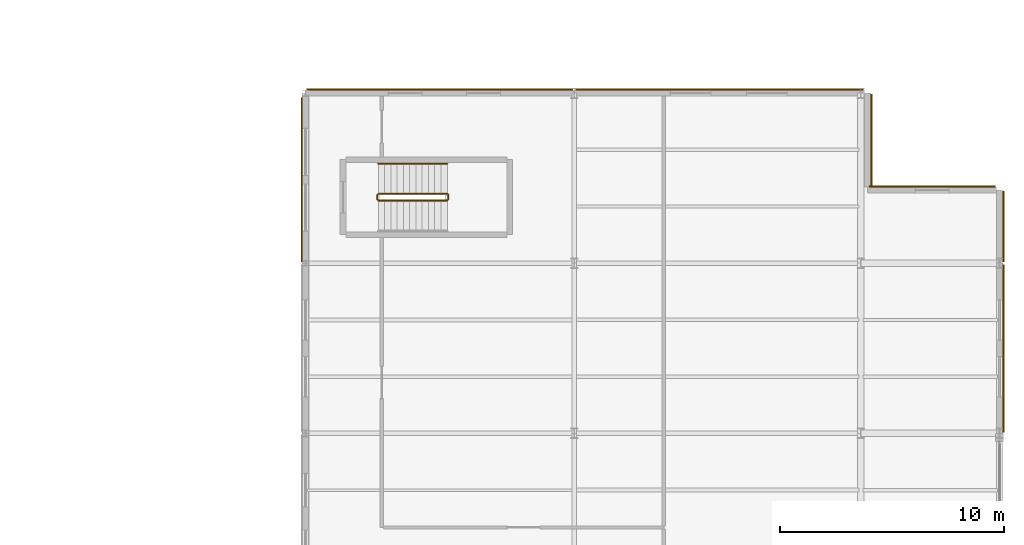
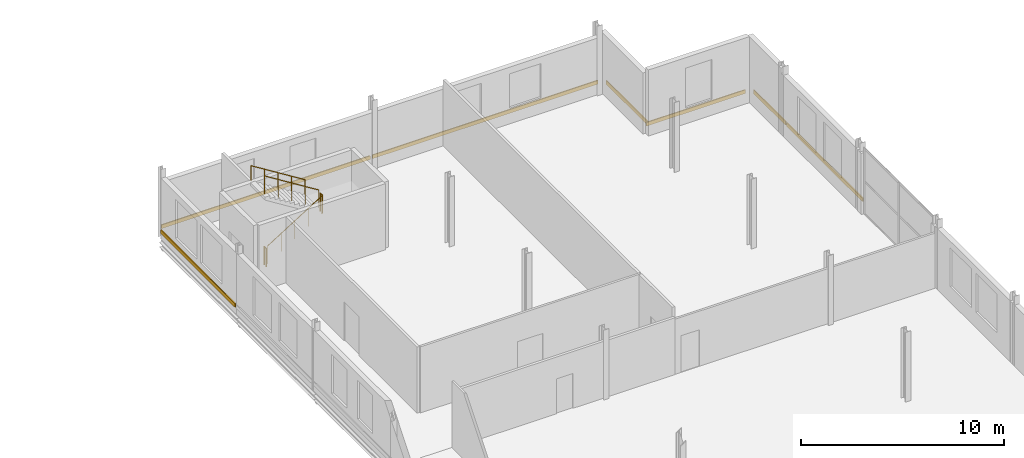
# One storey, part 93 of 93: 7 coverings, 5 railings.
"""IFC4 building model written with IfcOpenShell, lengths in metres."""

import ifcopenshell
import ifcopenshell.guid

model = None  # the IFC model being written
_history = None  # IfcOwnerHistory: only IFC2X3 demands one
_inside = {}  # id of a spatial element -> (the spatial element, [elements in it])
_under = {}  # id of a project, library or spatial element -> (it, [spatial elements below it])
_declared = {}  # id of a project -> (the project, [libraries it declares])
_typed = {}  # id of a type object -> (the type object, [elements of that type])
_made_of = {}  # id of a material, layer set ... -> (it, [elements and type objects made of it])


def new_model(schema):
    """Start an empty IFC model of exactly this schema.

    Asked for "IFC4X3", IfcOpenShell would pick the latest addendum, in which some entities
    have other attributes; the version numbers below select the first issue.
    IFC2X3 requires an IfcOwnerHistory on every rooted entity: one is made here for all.
    """
    global model, _history
    if schema == "IFC4X3":
        model = ifcopenshell.file(schema_version=(4, 3, 0, 0))
    else:
        model = ifcopenshell.file(schema=schema)
    _inside.clear()
    _under.clear()
    _declared.clear()
    _typed.clear()
    _made_of.clear()
    _history = None
    if model.schema == "IFC2X3":
        org = make("IfcOrganization", Name="unknown")
        user = make(
            "IfcPersonAndOrganization",
            ThePerson=make("IfcPerson", FamilyName="unknown"),
            TheOrganization=org,
        )
        app = make(
            "IfcApplication",
            ApplicationDeveloper=org,
            Version="unknown",
            ApplicationFullName="unknown",
            ApplicationIdentifier="unknown",
        )
        _history = make(
            "IfcOwnerHistory",
            OwningUser=user,
            OwningApplication=app,
            ChangeAction="ADDED",
            CreationDate=0,
        )
    return model


def make(cls, **values):
    """One entity of the class cls with the attributes given. An attribute that is None is left unset."""
    return model.create_entity(
        cls, **{name: value for name, value in values.items() if value is not None}
    )


def rooted(cls, **values):
    """An entity with a GlobalId (a new one), such as an element, a storey or a relation."""
    return make(cls, GlobalId=ifcopenshell.guid.new(), OwnerHistory=_history, **values)


def si_unit(unit_type, name, prefix=None):
    """IfcSIUnit, for example si_unit("LENGTHUNIT", "METRE", prefix="MILLI")."""
    return make("IfcSIUnit", UnitType=unit_type, Prefix=prefix, Name=name)


def assignment(units):
    """IfcUnitAssignment: the units of a project."""
    return None if units is None else make("IfcUnitAssignment", Units=units)


def point(xyz):
    """IfcCartesianPoint."""
    return None if xyz is None else make("IfcCartesianPoint", Coordinates=xyz)


def direction(xyz):
    """IfcDirection."""
    return None if xyz is None else make("IfcDirection", DirectionRatios=xyz)


def frame(location, z_axis=None, x_axis=None):
    """IfcAxis2Placement3D, a coordinate frame: its origin and axes. An axis left out is left unset."""
    return make(
        "IfcAxis2Placement3D",
        Location=point(location),
        Axis=direction(z_axis),
        RefDirection=direction(x_axis),
    )


def frame_2d(location, x_axis=None):
    """IfcAxis2Placement2D, a coordinate frame in the plane: its origin and x axis."""
    return make(
        "IfcAxis2Placement2D", Location=point(location), RefDirection=direction(x_axis)
    )


def origin():
    """The frame at (0, 0, 0) with its axes left unset."""
    return frame((0.0, 0.0, 0.0))


def origin_2d():
    """The frame at (0, 0) in the plane with its x axis left unset."""
    return frame_2d((0.0, 0.0))


def place(relative_to, where):
    """IfcLocalPlacement: puts the frame where relative to a parent placement (None: the world)."""
    return make(
        "IfcLocalPlacement", PlacementRelTo=relative_to, RelativePlacement=where
    )


def context(
    kind, dimensions, precision=None, world=None, true_north=None, identifier=None
):
    """IfcGeometricRepresentationContext, for example the 3D "Model" context."""
    return make(
        "IfcGeometricRepresentationContext",
        ContextIdentifier=identifier,
        ContextType=kind,
        CoordinateSpaceDimension=dimensions,
        Precision=precision,
        WorldCoordinateSystem=world,
        TrueNorth=true_north,
    )


def subcontext(parent, identifier, kind, view, scale=None):
    """IfcGeometricRepresentationSubContext, for example "Body" below "Model"."""
    return make(
        "IfcGeometricRepresentationSubContext",
        ContextIdentifier=identifier,
        ContextType=kind,
        ParentContext=parent,
        TargetScale=scale,
        TargetView=view,
    )


def project(units=None, contexts=None):
    """IfcProject with its units and contexts."""
    return rooted(
        "IfcProject",
        Name="project",
        RepresentationContexts=contexts,
        UnitsInContext=assignment(units),
    )


def spatial(cls, under=None, at=None, **own):
    """A site, building, storey or space (cls), placed at a placement, below another one or the project."""
    s = rooted(cls, ObjectPlacement=at, **own)
    if under is not None:
        _under.setdefault(under.id(), (under, []))[1].append(s)
    return s


def profile(cls, at=None, kind="AREA", **sizes):
    """A parametric profile (cls). Its sizes go by their IFC names, for example OverallWidth=200.0."""
    return make(cls, ProfileType=kind, Position=at, **sizes)


def rectangle(**sizes):
    """IfcRectangleProfileDef."""
    return profile("IfcRectangleProfileDef", **sizes)


def circle(**sizes):
    """IfcCircleProfileDef."""
    return profile("IfcCircleProfileDef", **sizes)


def extrude(swept, where, along, depth):
    """IfcExtrudedAreaSolid: the profile swept, set in the frame where, extruded along a direction by depth."""
    return make(
        "IfcExtrudedAreaSolid",
        SweptArea=swept,
        Position=where,
        ExtrudedDirection=direction(along),
        Depth=depth,
    )


def shape(context_of_items, identifier, shape_type, items):
    """IfcShapeRepresentation: the items that make up one representation, for example the "Body"."""
    return make(
        "IfcShapeRepresentation",
        ContextOfItems=context_of_items,
        RepresentationIdentifier=identifier,
        RepresentationType=shape_type,
        Items=items,
    )


def material(Name=None, Category=None):
    """IfcMaterial."""
    return make("IfcMaterial", Name=Name, Category=Category)


def layer(
    of_material, thickness, ventilated=None, Name=None, Category=None, Priority=None
):
    """IfcMaterialLayer: one layer of a wall or slab, of a material (None: an air gap)."""
    return make(
        "IfcMaterialLayer",
        Material=of_material,
        LayerThickness=thickness,
        IsVentilated=ventilated,
        Name=Name,
        Category=Category,
        Priority=Priority,
    )


def layer_set(layers, Name=None):
    """IfcMaterialLayerSet."""
    return make("IfcMaterialLayerSet", MaterialLayers=layers, LayerSetName=Name)


def made_of(thing, what):
    """Note that an element or type object is made of a material, layer set ...; save() writes the relation."""
    if what is not None:
        _made_of.setdefault(what.id(), (what, []))[1].append(thing)
    return thing


def type_object(cls, material=None, **own):
    """A type object (cls), such as IfcWallType, which elements share."""
    return made_of(rooted(cls, **own), material)


def element(
    cls,
    number,
    at=None,
    inside=None,
    cuts=None,
    type_object=None,
    material=None,
    context=None,
    identifier="Body",
    shape_type=None,
    held_by="IfcProductDefinitionShape",
    body=None,
    shapes=None,
    **own,
):
    """One element of the class cls, such as IfcWall. Its Tag is "e" and its number.

    at: its placement. inside: the storey or other place that contains it. cuts: it is an
    opening in that element (IfcRelVoidsElement). A single representation is given by context,
    identifier, shape_type and body (its items); several are given by shapes. held_by: the class
    of the entity that holds the representations. save() writes the other relations.
    """
    e = rooted(cls, Tag="e%d" % number, ObjectPlacement=at, **own)
    if body is not None:
        shapes = [shape(context, identifier, shape_type, body)]
    if shapes is not None:
        e.Representation = make(held_by, Representations=shapes)
    if inside is not None:
        _inside.setdefault(inside.id(), (inside, []))[1].append(e)
    if cuts is not None:
        rooted(
            "IfcRelVoidsElement", RelatingBuildingElement=cuts, RelatedOpeningElement=e
        )
    if type_object is not None:
        _typed.setdefault(type_object.id(), (type_object, []))[1].append(e)
    return made_of(e, material)


def aggregate(whole, parts):
    """IfcRelAggregates: a whole, such as a stair, and the parts it consists of."""
    return rooted("IfcRelAggregates", RelatingObject=whole, RelatedObjects=parts)


def save(model, path):
    """Write the relations noted so far, then the file.

    IfcRelAggregates (storeys below a building ...), IfcRelContainedInSpatialStructure (elements
    in a storey), IfcRelDefinesByType, IfcRelAssociatesMaterial and IfcRelDeclares: one each for
    every whole, place, type object, material and project.
    """
    for whole, parts in _under.values():
        aggregate(whole, parts)
    for where, things in _inside.values():
        rooted(
            "IfcRelContainedInSpatialStructure",
            RelatedElements=things,
            RelatingStructure=where,
        )
    for kind, things in _typed.values():
        rooted("IfcRelDefinesByType", RelatedObjects=things, RelatingType=kind)
    for what, things in _made_of.values():
        rooted("IfcRelAssociatesMaterial", RelatedObjects=things, RelatingMaterial=what)
    for by, libraries in _declared.values():
        rooted("IfcRelDeclares", RelatingContext=by, RelatedDefinitions=libraries)
    model.write(path)


model = new_model("IFC4")

# Units and contexts
model_context = context("Model", 3, precision=1e-05, world=origin(), true_north=direction((0.0, 1.0)))
body_context = subcontext(model_context, "Body", "Model", "MODEL_VIEW")
ifc_project = project(units=[si_unit("LENGTHUNIT", "METRE"), si_unit("AREAUNIT", "SQUARE_METRE"), si_unit("VOLUMEUNIT", "CUBIC_METRE"), si_unit("PLANEANGLEUNIT", "RADIAN"), si_unit("MASSUNIT", "GRAM", prefix="KILO")], contexts=[model_context])

# Site, building, storey
site_placement = place(None, origin())
site = spatial("IfcSite", under=ifc_project, at=site_placement, CompositionType="ELEMENT")
building_placement = place(site_placement, origin())
building = spatial("IfcBuilding", under=site, at=building_placement, Name="Vekula Escarpment Museum", CompositionType="ELEMENT")
storey_placement = place(building_placement, frame((0.0, 0.0, 22.199951171875)))
storey = spatial("IfcBuildingStorey", under=building, at=storey_placement, Name="L05", CompositionType="ELEMENT", Elevation=22.199951171875)

# Coverings
ifc_material_1 = material(Name="Polychrome limestone almasik string-course band", Category="masonry")
ifc_layer = layer(ifc_material_1, 0.06005859375)
ifc_layer_set = layer_set([ifc_layer], Name="Polychrome limestone almasik string-course band")
covering_type = type_object("IfcCoveringType", Name="COV-ALM-BAND", PredefinedType="CLADDING", material=ifc_layer_set)
covering_1_placement = place(storey_placement, frame((198.166015625, 109.39990234375, 0.41015625), z_axis=(0.0, 0.0, 1.0), x_axis=(0.0, 1.0, 0.0)))
element("IfcCovering", 1, at=covering_1_placement, inside=storey, type_object=covering_type, Name="Almasik Stone String Course L05-0659", PredefinedType="CLADDING", context=body_context, shape_type="SweptSolid", body=[
    extrude(rectangle(XDim=7.47998046875, YDim=0.06005859375, at=origin_2d()), origin(), (0.0, 0.0, 1.0), 0.219970703125),
])
covering_2_placement = place(storey_placement, frame((198.166015625, 114.833984375, 0.41015625), z_axis=(0.0, 0.0, 1.0), x_axis=(0.0, 1.0, 0.0)))
element("IfcCovering", 2, at=covering_2_placement, inside=storey, type_object=covering_type, Name="Almasik Stone String Course L05-0660", PredefinedType="CLADDING", context=body_context, shape_type="SweptSolid", body=[
    extrude(rectangle(XDim=3.14794921875, YDim=0.06005859375, at=origin_2d()), origin(), (0.0, 0.0, 1.0), 0.219970703125),
])
covering_3_placement = place(storey_placement, frame((194.98291015625, 116.634033203125, 0.41015625), z_axis=(0.0, 0.0, 1.0), x_axis=(1.0, 0.0, 0.0)))
element("IfcCovering", 3, at=covering_3_placement, inside=storey, type_object=covering_type, Name="Almasik Stone String Course L05-0661", PredefinedType="CLADDING", context=body_context, shape_type="SweptSolid", body=[
    extrude(rectangle(XDim=5.6259765625, YDim=0.06005859375, at=origin_2d()), origin(), (0.0, 0.0, 1.0), 0.219970703125),
])
covering_4_placement = place(storey_placement, frame((192.27587890625, 118.7060546875, 0.41015625), z_axis=(0.0, 0.0, 1.0), x_axis=(0.0, 1.0, 0.0)))
element("IfcCovering", 4, at=covering_4_placement, inside=storey, type_object=covering_type, Name="Almasik Stone String Course L05-0662", PredefinedType="CLADDING", context=body_context, shape_type="SweptSolid", body=[
    extrude(rectangle(XDim=4.068115234375, YDim=0.06005859375, at=origin_2d()), origin(), (0.0, 0.0, 1.0), 0.219970703125),
])
covering_5_placement = place(storey_placement, frame((185.48291015625, 120.966064453125, 0.41015625), z_axis=(0.0, 0.0, 1.0), x_axis=(1.0, 0.0, 0.0)))
element("IfcCovering", 5, at=covering_5_placement, inside=storey, type_object=covering_type, Name="Almasik Stone String Course L05-0663", PredefinedType="CLADDING", context=body_context, shape_type="SweptSolid", body=[
    extrude(rectangle(XDim=12.845947265625, YDim=0.06005859375, at=origin_2d()), origin(), (0.0, 0.0, 1.0), 0.219970703125),
])
covering_6_placement = place(storey_placement, frame((173.0, 120.966064453125, 0.41015625), z_axis=(0.0, 0.0, 1.0), x_axis=(1.0, 0.0, 0.0)))
element("IfcCovering", 6, at=covering_6_placement, inside=storey, type_object=covering_type, Name="Almasik Stone String Course L05-0664", PredefinedType="CLADDING", context=body_context, shape_type="SweptSolid", body=[
    extrude(rectangle(XDim=11.8798828125, YDim=0.06005859375, at=origin_2d()), origin(), (0.0, 0.0, 1.0), 0.219970703125),
])
covering_7_placement = place(storey_placement, frame((166.833984375, 116.927978515625, 0.41015625), z_axis=(0.0, 0.0, 1.0), x_axis=(0.0, 1.0, 0.0)))
element("IfcCovering", 7, at=covering_7_placement, inside=storey, type_object=covering_type, Name="Almasik Stone String Course L05-0665", PredefinedType="CLADDING", context=body_context, shape_type="SweptSolid", body=[
    extrude(rectangle(XDim=7.3359375, YDim=0.06005859375, at=origin_2d()), origin(), (0.0, 0.0, 1.0), 0.219970703125),
])

# Railings
ifc_material_2 = material(Name="Painted Steel S355 stair guard", Category="steel")
railing_type_1 = type_object("IfcRailingType", Name="RL-STAIR-GUARD", PredefinedType="GUARDRAIL", material=ifc_material_2)
railing_1_placement = place(storey_placement, frame((170.25, 116.0, 0.175048828125)))
element("IfcRailing", 8, at=railing_1_placement, inside=storey, type_object=railing_type_1, Name="L05 ST-05 stair guard 1", PredefinedType="GUARDRAIL", context=body_context, shape_type="SweptSolid", body=[
    extrude(circle(Radius=0.02392578125, at=origin_2d()), frame((0.0, 0.0, 1.076171875), z_axis=(0.847998304005, 0.0, 0.529998940003), x_axis=(0.0, 1.0, 0.0)), (0.0, 0.0, 1.0), 3.632080078125),
    extrude(circle(Radius=0.02099609375, at=origin_2d()), origin(), (0.0, 0.0, 1.0), 1.052001953125),
    extrude(circle(Radius=0.02099609375, at=origin_2d()), frame((0.77001953125, 0.0, 0.481201171875)), (0.0, 0.0, 1.0), 1.052001953125),
    extrude(circle(Radius=0.02099609375, at=origin_2d()), frame((1.5400390625, 0.0, 0.96240234375)), (0.0, 0.0, 1.0), 1.052001953125),
    extrude(circle(Radius=0.02099609375, at=origin_2d()), frame((2.31005859375, 0.0, 1.44384765625)), (0.0, 0.0, 1.0), 1.052001953125),
    extrude(circle(Radius=0.02099609375, at=origin_2d()), frame((3.080078125, 0.0, 1.925048828125)), (0.0, 0.0, 1.0), 1.052001953125),
])
railing_2_placement = place(storey_placement, frame((173.3798828125, 116.050048828125, 2.10009765625)))
element("IfcRailing", 9, at=railing_2_placement, inside=storey, type_object=railing_type_1, Name="L05 ST-05 stair guard 2", PredefinedType="GUARDRAIL", context=body_context, shape_type="SweptSolid", body=[
    extrude(circle(Radius=0.02392578125, at=origin_2d()), frame((0.0, 0.0, 1.076171875), z_axis=(0.0, 1.0, 0.0), x_axis=(-1.0, 0.0, 0.0)), (0.0, 0.0, 1.0), 0.199951171875),
    extrude(circle(Radius=0.02099609375, at=origin_2d()), origin(), (0.0, 0.0, 1.0), 1.052001953125),
    extrude(circle(Radius=0.02099609375, at=origin_2d()), frame((0.0, 0.199951171875, 0.0)), (0.0, 0.0, 1.0), 1.052001953125),
])
railing_3_placement = place(storey_placement, frame((173.330078125, 116.300048828125, 2.275146484375)))
element("IfcRailing", 10, at=railing_3_placement, inside=storey, type_object=railing_type_1, Name="L05 ST-05 stair guard 3", PredefinedType="GUARDRAIL", context=body_context, shape_type="SweptSolid", body=[
    extrude(circle(Radius=0.02392578125, at=origin_2d()), frame((0.0, 0.0, 1.076171875), z_axis=(-0.848028513186, 0.0, 0.529950602248), x_axis=(0.0, -1.0, 0.0)), (0.0, 0.0, 1.0), 3.632080078125),
    extrude(circle(Radius=0.02099609375, at=origin_2d()), origin(), (0.0, 0.0, 1.0), 1.052001953125),
    extrude(circle(Radius=0.02099609375, at=origin_2d()), frame((-0.77001953125, 0.0, 0.481201171875)), (0.0, 0.0, 1.0), 1.052001953125),
    extrude(circle(Radius=0.02099609375, at=origin_2d()), frame((-1.5400390625, 0.0, 0.96240234375)), (0.0, 0.0, 1.0), 1.052001953125),
    extrude(circle(Radius=0.02099609375, at=origin_2d()), frame((-2.31005859375, 0.0, 1.443603515625)), (0.0, 0.0, 1.0), 1.052001953125),
    extrude(circle(Radius=0.02099609375, at=origin_2d()), frame((-3.080078125, 0.0, 1.9248046875)), (0.0, 0.0, 1.0), 1.052001953125),
])
railing_4_placement = place(storey_placement, frame((170.199951171875, 116.050048828125, 0.0)))
element("IfcRailing", 11, at=railing_4_placement, inside=storey, type_object=railing_type_1, Name="L05 ST-05 stair guard 4", PredefinedType="GUARDRAIL", context=body_context, shape_type="SweptSolid", body=[
    extrude(circle(Radius=0.02392578125, at=origin_2d()), frame((0.0, 0.0, 1.076171875), z_axis=(0.0, 1.0, 0.0), x_axis=(-1.0, 0.0, 0.0)), (0.0, 0.0, 1.0), 0.199951171875),
    extrude(circle(Radius=0.02099609375, at=origin_2d()), origin(), (0.0, 0.0, 1.0), 1.052001953125),
    extrude(circle(Radius=0.02099609375, at=origin_2d()), frame((0.0, 0.199951171875, 0.0)), (0.0, 0.0, 1.0), 1.052001953125),
])
ifc_material_3 = material(Name="Brushed stainless steel handrail", Category="steel")
railing_type_2 = type_object("IfcRailingType", Name="RL-STAIR-HAND", PredefinedType="HANDRAIL", material=ifc_material_3)
railing_5_placement = place(storey_placement, frame((173.330078125, 117.64990234375, 2.275146484375)))
element("IfcRailing", 12, at=railing_5_placement, inside=storey, type_object=railing_type_2, Name="L05 ST-05 stair handrail 2", PredefinedType="HANDRAIL", context=body_context, shape_type="SweptSolid", body=[
    extrude(circle(Radius=0.02392578125, at=origin_2d()), frame((0.0, 0.0, 0.8759765625), z_axis=(-0.848028513186, 0.0, 0.529950602248), x_axis=(0.0, -1.0, 0.0)), (0.0, 0.0, 1.0), 3.632080078125),
    extrude(circle(Radius=0.02099609375, at=origin_2d()), origin(), (0.0, 0.0, 1.0), 0.851806640625),
    extrude(circle(Radius=0.02099609375, at=origin_2d()), frame((-0.77001953125, 0.0, 0.481201171875)), (0.0, 0.0, 1.0), 0.851806640625),
    extrude(circle(Radius=0.02099609375, at=origin_2d()), frame((-1.5400390625, 0.0, 0.96240234375)), (0.0, 0.0, 1.0), 0.851806640625),
    extrude(circle(Radius=0.02099609375, at=origin_2d()), frame((-2.31005859375, 0.0, 1.443603515625)), (0.0, 0.0, 1.0), 0.851806640625),
    extrude(circle(Radius=0.02099609375, at=origin_2d()), frame((-3.080078125, 0.0, 1.9248046875)), (0.0, 0.0, 1.0), 0.851806640625),
])

save(model, "model.ifc")
